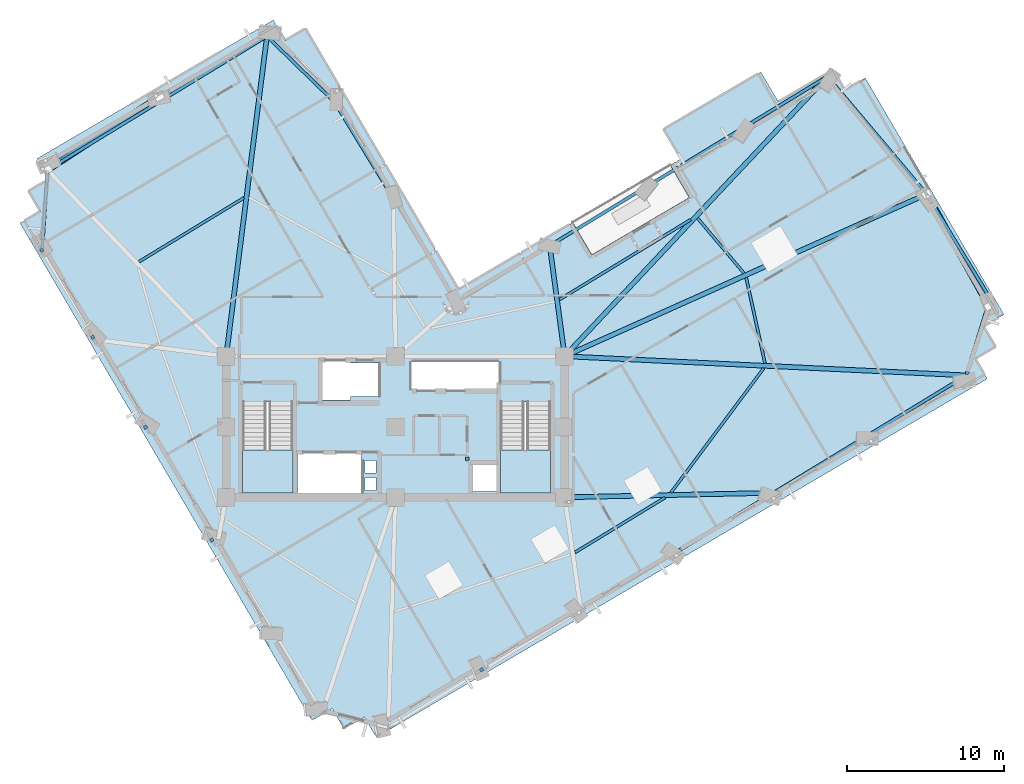
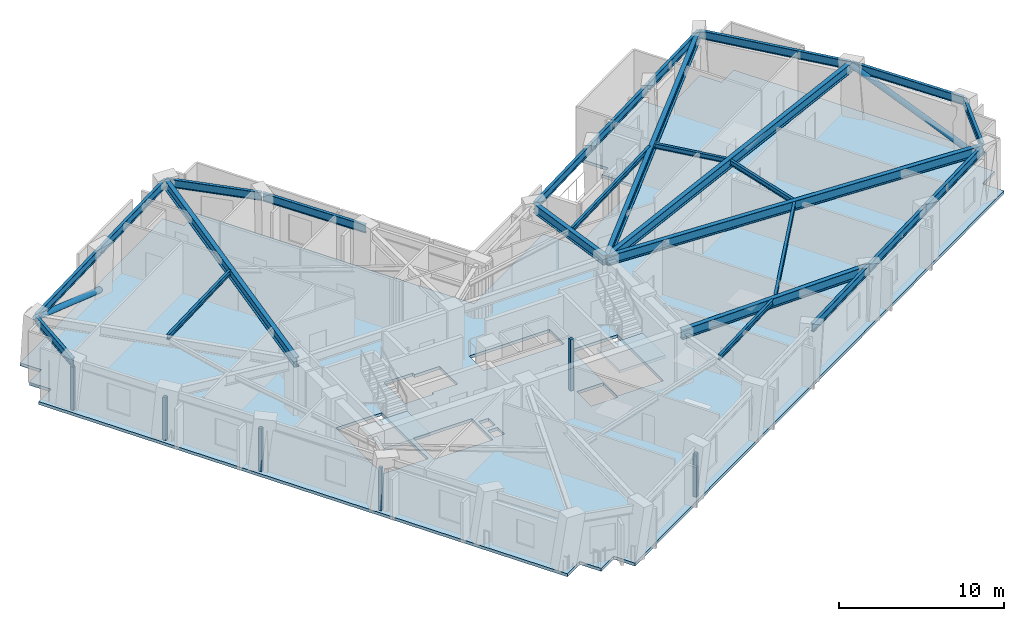
# One storey, part 2 of 12: 26 beams, 6 plates, 3 slabs, 2 members, 2 elements without a shape of their own.
"""IFC4 building model written with IfcOpenShell, lengths in metres."""

from ifc_helpers import new_model, si_unit, direction, frame, origin, origin_2d, place, context, subcontext, project, spatial, polyline, rectangle, hollow_circle, i_section, outline, extrude, material, layer, layer_set, material_profile, profile_set, type_object, element, aggregate, save


model = new_model("IFC4")

# Units and contexts
model_context = context("Model", 3, precision=1e-05, world=origin(), true_north=direction((0.0, 1.0)))
body_context = subcontext(model_context, "Body", "Model", "MODEL_VIEW")
ifc_project = project(units=[si_unit("LENGTHUNIT", "METRE"), si_unit("AREAUNIT", "SQUARE_METRE"), si_unit("VOLUMEUNIT", "CUBIC_METRE"), si_unit("PLANEANGLEUNIT", "RADIAN"), si_unit("MASSUNIT", "GRAM", prefix="KILO")], contexts=[model_context])

# Site, building, storey
site_placement = place(None, origin())
site = spatial("IfcSite", under=ifc_project, at=site_placement, CompositionType="ELEMENT")
building_placement = place(site_placement, origin())
building = spatial("IfcBuilding", under=site, at=building_placement, Name="Gaonmaruhae Medical Tower", CompositionType="ELEMENT")
storey_placement = place(building_placement, frame((0.0, 0.0, 153.800048828125)))
storey = spatial("IfcBuildingStorey", under=building, at=storey_placement, Name="L36", CompositionType="ELEMENT", Elevation=153.800048828125)

# Beams
ifc_material_1 = material(Name="Steel SM355", Category="steel")
ifc_material_profile_1 = material_profile(ifc_material_1, i_section(OverallWidth=0.175048828125, OverallDepth=0.35009765625, WebThickness=0.007080078125, FlangeThickness=0.010986328125, FilletRadius=0.012939453125, at=origin_2d()), Name="H-350x175x7x11")
ifc_profile_set_1 = profile_set([ifc_material_profile_1], Name="Steel SM355")
beam_type_1 = type_object("IfcBeamType", Name="FJ-02 Upper Zone Ward Floor Joist (H-350x175x7x11)", PredefinedType="JOIST", material=ifc_profile_set_1)
beam_1_placement = place(storey_placement, frame((36.262451171875, 4.285888671875, 3.60498046875), z_axis=(0.854001529604, 0.520270494488, 0.0), x_axis=(-0.520270494488, 0.854001529604, 0.0)))
element("IfcBeam", 1, at=beam_1_placement, inside=storey, type_object=beam_type_1, Name="L36 Secondary Floor Joist FJ02", PredefinedType="JOIST", context=body_context, shape_type="SweptSolid", body=[
    extrude(i_section(OverallWidth=0.175048828125, OverallDepth=0.35009765625, WebThickness=0.007080078125, FlangeThickness=0.010986328125, FilletRadius=0.012939453125, at=origin_2d()), origin(), (0.0, 0.0, 1.0), 6.725830078125),
])
beam_2_placement = place(storey_placement, frame((42.384033203125, 8.10107421875, 3.60498046875), z_axis=(0.597792731587, 0.801650703275, 0.0), x_axis=(-0.801650703275, 0.597792731587, 0.0)))
element("IfcBeam", 2, at=beam_2_placement, inside=storey, type_object=beam_type_1, Name="L36 Secondary Floor Joist FJ03", PredefinedType="JOIST", context=body_context, shape_type="SweptSolid", body=[
    extrude(i_section(OverallWidth=0.175048828125, OverallDepth=0.35009765625, WebThickness=0.007080078125, FlangeThickness=0.010986328125, FilletRadius=0.012939453125, at=origin_2d()), origin(), (0.0, 0.0, 1.0), 9.903076171875),
])
beam_3_placement = place(storey_placement, frame((48.381103515625, 16.347412109375, 3.60498046875), z_axis=(-0.214414394751, 0.976742784628, 0.0), x_axis=(-0.976742784628, -0.214414394751, 0.0)))
element("IfcBeam", 3, at=beam_3_placement, inside=storey, type_object=beam_type_1, Name="L36 Secondary Floor Joist FJ04", PredefinedType="JOIST", context=body_context, shape_type="SweptSolid", body=[
    extrude(i_section(OverallWidth=0.175048828125, OverallDepth=0.35009765625, WebThickness=0.007080078125, FlangeThickness=0.010986328125, FilletRadius=0.012939453125, at=origin_2d()), origin(), (0.0, 0.0, 1.0), 5.60107421875),
])
beam_4_placement = place(storey_placement, frame((47.041748046875, 22.097412109375, 3.60498046875), z_axis=(-0.64468444469, 0.764448799315, 0.0), x_axis=(-0.764448799315, -0.64468444469, 0.0)))
element("IfcBeam", 4, at=beam_4_placement, inside=storey, type_object=beam_type_1, Name="L36 Secondary Floor Joist FJ05", PredefinedType="JOIST", context=body_context, shape_type="SweptSolid", body=[
    extrude(i_section(OverallWidth=0.175048828125, OverallDepth=0.35009765625, WebThickness=0.007080078125, FlangeThickness=0.010986328125, FilletRadius=0.012939453125, at=origin_2d()), origin(), (0.0, 0.0, 1.0), 4.588623046875),
])
beam_5_placement = place(storey_placement, frame((43.64013671875, 25.516845703125, 3.60498046875), z_axis=(-0.85400423962, -0.520266046086, 0.0), x_axis=(0.520266046086, -0.85400423962, 0.0)))
element("IfcBeam", 5, at=beam_5_placement, inside=storey, type_object=beam_type_1, Name="L36 Secondary Floor Joist FJ06", PredefinedType="JOIST", context=body_context, shape_type="SweptSolid", body=[
    extrude(i_section(OverallWidth=0.175048828125, OverallDepth=0.35009765625, WebThickness=0.007080078125, FlangeThickness=0.010986328125, FilletRadius=0.012939453125, at=origin_2d()), origin(), (0.0, 0.0, 1.0), 9.8046875),
])
beam_6_placement = place(storey_placement, frame((15.134033203125, 26.908203125, 3.60498046875), z_axis=(-0.85399590805, -0.520279721913, 0.0), x_axis=(0.520279721913, -0.85399590805, 0.0)))
element("IfcBeam", 6, at=beam_6_placement, inside=storey, type_object=beam_type_1, Name="L36 Secondary Floor Joist FJ10", PredefinedType="JOIST", context=body_context, shape_type="SweptSolid", body=[
    extrude(i_section(OverallWidth=0.175048828125, OverallDepth=0.35009765625, WebThickness=0.007080078125, FlangeThickness=0.010986328125, FilletRadius=0.012939453125, at=origin_2d()), origin(), (0.0, 0.0, 1.0), 7.842529296875),
])

# Members
ifc_material_2 = material(Name="Steel SM420", Category="steel")
ifc_material_profile_2 = material_profile(ifc_material_2, hollow_circle(Radius=0.203125, WallThickness=0.0126953125, at=origin_2d()), Name="CHS-406.4x12.7")
ifc_profile_set_2 = profile_set([ifc_material_profile_2], Name="Steel SM420")
member_type = type_object("IfcMemberType", Name="PB-02 Perimeter Solid-Bay Tube Brace Mid (CHS-406.4x12.7)", PredefinedType="BRACE", material=ifc_profile_set_2)
member_1_placement = place(storey_placement, frame((62.674560546875, 20.003173828125, 0.25), z_axis=(-0.45191920941, 0.810695187945, 0.372212762287), x_axis=(-0.873455184039, -0.486904550682, 0.0)))
element("IfcMember", 7, at=member_1_placement, inside=storey, type_object=member_type, Name="L36 Perimeter Tube Solid-Bay Brace E01-E02", PredefinedType="BRACE", context=body_context, shape_type="SweptSolid", body=[
    extrude(hollow_circle(Radius=0.203125, WallThickness=0.0126953125, at=origin_2d()), origin(), (0.0, 0.0, 1.0), 8.812255859375),
])
member_2_placement = place(storey_placement, frame((9.74169921875, 33.352783203125, 0.25), z_axis=(-0.781516921867, -0.51027970636, 0.35895114168), x_axis=(0.546714773872, -0.837318909395, 0.0)))
element("IfcMember", 8, at=member_2_placement, inside=storey, type_object=member_type, Name="L36 Perimeter Tube Solid-Bay Brace N02-N03", PredefinedType="BRACE", context=body_context, shape_type="SweptSolid", body=[
    extrude(hollow_circle(Radius=0.203125, WallThickness=0.0126953125, at=origin_2d()), origin(), (0.0, 0.0, 1.0), 9.1376953125),
])

# Beams
ifc_material_profile_3 = material_profile(ifc_material_2, i_section(OverallWidth=0.300048828125, OverallDepth=0.699951171875, WebThickness=0.012939453125, FlangeThickness=0.02392578125, FilletRadius=0.01806640625, at=origin_2d()), Name="H-700x300x13x24")
ifc_profile_set_3 = profile_set([ifc_material_profile_3], Name="Steel SM420")
beam_type_2 = type_object("IfcBeamType", Name="PG-03 Zone 3 Radial Floor Girder (H-700x300x13x24)", PredefinedType="BEAM", material=ifc_profile_set_3)
beam_7_placement = place(storey_placement, frame((35.64990234375, 7.801025390625, 3.429931640625), z_axis=(0.999767528955, 0.021561262639, 0.0), x_axis=(-0.021561262639, 0.999767528955, 0.0)))
element("IfcBeam", 9, at=beam_7_placement, inside=storey, type_object=beam_type_2, Name="L36 Radial Primary Girder S05", PredefinedType="BEAM", context=body_context, shape_type="SweptSolid", body=[
    extrude(i_section(OverallWidth=0.300048828125, OverallDepth=0.699951171875, WebThickness=0.012939453125, FlangeThickness=0.02392578125, FilletRadius=0.01806640625, at=origin_2d()), origin(), (0.0, 0.0, 1.0), 13.23681640625),
])
beam_8_placement = place(storey_placement, frame((35.64990234375, 16.797607421875, 3.429931640625), z_axis=(0.998868051283, -0.047566964651, 0.0), x_axis=(0.047566964651, 0.998868051283, 0.0)))
element("IfcBeam", 10, at=beam_8_placement, inside=storey, type_object=beam_type_2, Name="L36 Radial Primary Girder S07", PredefinedType="BEAM", context=body_context, shape_type="SweptSolid", body=[
    extrude(i_section(OverallWidth=0.300048828125, OverallDepth=0.699951171875, WebThickness=0.012939453125, FlangeThickness=0.02392578125, FilletRadius=0.01806640625, at=origin_2d()), origin(), (0.0, 0.0, 1.0), 25.560302734375),
])
beam_9_placement = place(storey_placement, frame((35.6455078125, 16.820556640625, 3.429931640625), z_axis=(0.912577883941, 0.408902929485, 0.0), x_axis=(-0.408902929485, 0.912577883941, 0.0)))
element("IfcBeam", 11, at=beam_9_placement, inside=storey, type_object=beam_type_2, Name="L36 Radial Primary Girder E02", PredefinedType="BEAM", context=body_context, shape_type="SweptSolid", body=[
    extrude(i_section(OverallWidth=0.300048828125, OverallDepth=0.699951171875, WebThickness=0.012939453125, FlangeThickness=0.02392578125, FilletRadius=0.01806640625, at=origin_2d()), origin(), (0.0, 0.0, 1.0), 25.204345703125),
])
beam_10_placement = place(storey_placement, frame((35.63427734375, 16.83642578125, 3.429931640625), z_axis=(0.684580864992, 0.728936924079, 0.0), x_axis=(-0.728936924079, 0.684580864992, 0.0)))
element("IfcBeam", 12, at=beam_10_placement, inside=storey, type_object=beam_type_2, Name="L36 Radial Primary Girder E03", PredefinedType="BEAM", context=body_context, shape_type="SweptSolid", body=[
    extrude(i_section(OverallWidth=0.300048828125, OverallDepth=0.699951171875, WebThickness=0.012939453125, FlangeThickness=0.02392578125, FilletRadius=0.01806640625, at=origin_2d()), origin(), (0.0, 0.0, 1.0), 24.388671875),
])
beam_11_placement = place(storey_placement, frame((35.59326171875, 16.849609375, 3.429931640625), z_axis=(-0.134284370933, 0.990942837768, 0.0), x_axis=(-0.990942837768, -0.134284370933, 0.0)))
element("IfcBeam", 13, at=beam_11_placement, inside=storey, type_object=beam_type_2, Name="L36 Radial Primary Girder EN03", PredefinedType="BEAM", context=body_context, shape_type="SweptSolid", body=[
    extrude(i_section(OverallWidth=0.300048828125, OverallDepth=0.699951171875, WebThickness=0.012939453125, FlangeThickness=0.02392578125, FilletRadius=0.01806640625, at=origin_2d()), origin(), (0.0, 0.0, 1.0), 7.01953125),
])
beam_12_placement = place(storey_placement, frame((14.00634765625, 16.849609375, 3.429931640625), z_axis=(0.126587729668, 0.99195541568, 0.0), x_axis=(-0.99195541568, 0.126587729668, 0.0)))
element("IfcBeam", 14, at=beam_12_placement, inside=storey, type_object=beam_type_2, Name="L36 Radial Primary Girder N01", PredefinedType="BEAM", context=body_context, shape_type="SweptSolid", body=[
    extrude(i_section(OverallWidth=0.300048828125, OverallDepth=0.699951171875, WebThickness=0.012939453125, FlangeThickness=0.02392578125, FilletRadius=0.01806640625, at=origin_2d()), origin(), (0.0, 0.0, 1.0), 20.48779296875),
])
ifc_material_profile_4 = material_profile(ifc_material_1, i_section(OverallWidth=0.199951171875, OverallDepth=0.60009765625, WebThickness=0.010986328125, FlangeThickness=0.01708984375, FilletRadius=0.012939453125, at=origin_2d()), Name="H-600x200x11x17")
ifc_profile_set_4 = profile_set([ifc_material_profile_4], Name="Steel SM355")
beam_type_3 = type_object("IfcBeamType", Name="SP-01 Lower Perimeter Spandrel Beam (H-600x200x11x17)", PredefinedType="SPANDREL", material=ifc_profile_set_4)
for number, where, z_axis, x_axis, name in (
    (15, (42.81884765625, 4.362548828125, 3.47998046875), (0.854018400859, 0.520242800041, 0.0), (-0.520242800041, 0.854018400859, 0.0), "L36 Perimeter Spandrel Beam S04-S05"),
    (16, (48.9677734375, 8.1083984375, 3.47998046875), (0.853993884251, 0.520283043796, 0.0), (-0.520283043796, 0.853993884251, 0.0), "L36 Perimeter Spandrel Beam S05-S06"),
):
    element("IfcBeam", number, at=place(storey_placement, frame(where, z_axis=z_axis, x_axis=x_axis)), inside=storey, type_object=beam_type_3, Name=name, PredefinedType="SPANDREL", context=body_context, shape_type="SweptSolid", body=[
        extrude(i_section(OverallWidth=0.199951171875, OverallDepth=0.60009765625, WebThickness=0.010986328125, FlangeThickness=0.01708984375, FilletRadius=0.012939453125, at=origin_2d()), origin(), (0.0, 0.0, 1.0), 7.119873046875),
    ])
beam_13_placement = place(storey_placement, frame((55.116455078125, 11.854248046875, 3.47998046875), z_axis=(0.854003165972, 0.520267808451, 0.0), x_axis=(-0.520267808451, 0.854003165972, 0.0)))
element("IfcBeam", 17, at=beam_13_placement, inside=storey, type_object=beam_type_3, Name="L36 Perimeter Spandrel Beam S06-S07", PredefinedType="SPANDREL", context=body_context, shape_type="SweptSolid", body=[
    extrude(i_section(OverallWidth=0.199951171875, OverallDepth=0.60009765625, WebThickness=0.010986328125, FlangeThickness=0.01708984375, FilletRadius=0.012939453125, at=origin_2d()), origin(), (0.0, 0.0, 1.0), 7.1201171875),
])
beam_14_placement = place(storey_placement, frame((61.242919921875, 15.61767578125, 3.47998046875), z_axis=(0.295744576847, 0.955267054423, 0.0), x_axis=(-0.955267054423, 0.295744576847, 0.0)))
element("IfcBeam", 18, at=beam_14_placement, inside=storey, type_object=beam_type_3, Name="L36 Perimeter Spandrel Beam S07-E01", PredefinedType="SPANDREL", context=body_context, shape_type="SweptSolid", body=[
    extrude(i_section(OverallWidth=0.199951171875, OverallDepth=0.60009765625, WebThickness=0.010986328125, FlangeThickness=0.01708984375, FilletRadius=0.012939453125, at=origin_2d()), origin(), (0.0, 0.0, 1.0), 5.05615234375),
])
beam_15_placement = place(storey_placement, frame((62.7294921875, 20.520263671875, 3.47998046875), z_axis=(-0.52028801498, 0.853990855612, 0.0), x_axis=(-0.853990855612, -0.52028801498, 0.0)))
element("IfcBeam", 19, at=beam_15_placement, inside=storey, type_object=beam_type_3, Name="L36 Perimeter Spandrel Beam E01-E02", PredefinedType="SPANDREL", context=body_context, shape_type="SweptSolid", body=[
    extrude(i_section(OverallWidth=0.199951171875, OverallDepth=0.60009765625, WebThickness=0.010986328125, FlangeThickness=0.01708984375, FilletRadius=0.012939453125, at=origin_2d()), origin(), (0.0, 0.0, 1.0), 7.719970703125),
])
beam_16_placement = place(storey_placement, frame((58.666259765625, 27.177734375, 3.47998046875), z_axis=(-0.644653008337, 0.764475309505, 0.0), x_axis=(-0.764475309505, -0.644653008337, 0.0)))
element("IfcBeam", 20, at=beam_16_placement, inside=storey, type_object=beam_type_3, Name="L36 Perimeter Spandrel Beam E02-E03", PredefinedType="SPANDREL", context=body_context, shape_type="SweptSolid", body=[
    extrude(i_section(OverallWidth=0.199951171875, OverallDepth=0.60009765625, WebThickness=0.010986328125, FlangeThickness=0.01708984375, FilletRadius=0.012939453125, at=origin_2d()), origin(), (0.0, 0.0, 1.0), 9.7353515625),
])
beam_17_placement = place(storey_placement, frame((52.330322265625, 34.6298828125, 3.47998046875), z_axis=(-0.854006757287, -0.520261913374, 0.0), x_axis=(0.520261913374, -0.854006757287, 0.0)))
element("IfcBeam", 21, at=beam_17_placement, inside=storey, type_object=beam_type_3, Name="L36 Perimeter Spandrel Beam E03-EN01", PredefinedType="SPANDREL", context=body_context, shape_type="SweptSolid", body=[
    extrude(i_section(OverallWidth=0.199951171875, OverallDepth=0.60009765625, WebThickness=0.010986328125, FlangeThickness=0.01708984375, FilletRadius=0.012939453125, at=origin_2d()), origin(), (0.0, 0.0, 1.0), 6.269775390625),
])
beam_18_placement = place(storey_placement, frame((46.907470703125, 31.326171875, 3.4599609375), z_axis=(-0.854003165972, -0.520267808451, 0.0), x_axis=(0.520267808451, -0.854003165972, 0.0)))
element("IfcBeam", 22, at=beam_18_placement, inside=storey, type_object=beam_type_3, Name="L36 Perimeter Spandrel Beam EN01-EN02", PredefinedType="SPANDREL", context=body_context, shape_type="SweptSolid", body=[
    extrude(i_section(OverallWidth=0.199951171875, OverallDepth=0.60009765625, WebThickness=0.010986328125, FlangeThickness=0.01708984375, FilletRadius=0.012939453125, at=origin_2d()), origin(), (0.0, 0.0, 1.0), 7.1201171875),
])
beam_19_placement = place(storey_placement, frame((40.758544921875, 27.580322265625, 3.4599609375), z_axis=(-0.853993884251, -0.520283043796, 0.0), x_axis=(0.520283043796, -0.853993884251, 0.0)))
element("IfcBeam", 23, at=beam_19_placement, inside=storey, type_object=beam_type_3, Name="L36 Perimeter Spandrel Beam EN02-EN03", PredefinedType="SPANDREL", context=body_context, shape_type="SweptSolid", body=[
    extrude(i_section(OverallWidth=0.199951171875, OverallDepth=0.60009765625, WebThickness=0.010986328125, FlangeThickness=0.01708984375, FilletRadius=0.012939453125, at=origin_2d()), origin(), (0.0, 0.0, 1.0), 7.119873046875),
])
beam_20_placement = place(storey_placement, frame((24.65576171875, 26.89208984375, 3.47998046875), z_axis=(-0.520267808451, 0.854003165972, 0.0), x_axis=(-0.854003165972, -0.520267808451, 0.0)))
element("IfcBeam", 24, at=beam_20_placement, inside=storey, type_object=beam_type_3, Name="L36 Perimeter Spandrel Beam NE01-NE02", PredefinedType="SPANDREL", context=body_context, shape_type="SweptSolid", body=[
    extrude(i_section(OverallWidth=0.199951171875, OverallDepth=0.60009765625, WebThickness=0.010986328125, FlangeThickness=0.01708984375, FilletRadius=0.012939453125, at=origin_2d()), origin(), (0.0, 0.0, 1.0), 7.1201171875),
])
beam_21_placement = place(storey_placement, frame((20.902099609375, 33.03466796875, 3.47998046875), z_axis=(-0.716082556644, 0.698015595864, 0.0), x_axis=(-0.698015595864, -0.716082556644, 0.0)))
element("IfcBeam", 25, at=beam_21_placement, inside=storey, type_object=beam_type_3, Name="L36 Perimeter Spandrel Beam NE02-N01", PredefinedType="SPANDREL", context=body_context, shape_type="SweptSolid", body=[
    extrude(i_section(OverallWidth=0.199951171875, OverallDepth=0.60009765625, WebThickness=0.010986328125, FlangeThickness=0.01708984375, FilletRadius=0.012939453125, at=origin_2d()), origin(), (0.0, 0.0, 1.0), 5.959228515625),
])
for number, where, z_axis, x_axis, name in (
    (26, (16.572021484375, 37.201416015625, 3.47998046875), (-0.854003416991, -0.52026739641, 0.0), (0.52026739641, -0.854003416991, 0.0), "L36 Perimeter Spandrel Beam N01-N02"),
    (27, (9.569091796875, 32.935302734375, 3.47998046875), (-0.854003416991, -0.52026739641, 0.0), (0.52026739641, -0.854003416991, 0.0), "L36 Perimeter Spandrel Beam N02-N03"),
):
    element("IfcBeam", number, at=place(storey_placement, frame(where, z_axis=z_axis, x_axis=x_axis)), inside=storey, type_object=beam_type_3, Name=name, PredefinedType="SPANDREL", context=body_context, shape_type="SweptSolid", body=[
        extrude(i_section(OverallWidth=0.199951171875, OverallDepth=0.60009765625, WebThickness=0.010986328125, FlangeThickness=0.01708984375, FilletRadius=0.012939453125, at=origin_2d()), origin(), (0.0, 0.0, 1.0), 8.1201171875),
    ])
beam_22_placement = place(storey_placement, frame((2.59765625, 28.64990234375, 3.47998046875), z_axis=(-0.067445917647, -0.997722931576, 0.0), x_axis=(0.997722931576, -0.067445917647, 0.0)))
element("IfcBeam", 28, at=beam_22_placement, inside=storey, type_object=beam_type_3, Name="L36 Perimeter Spandrel Beam N03-W01", PredefinedType="SPANDREL", context=body_context, shape_type="SweptSolid", body=[
    extrude(i_section(OverallWidth=0.199951171875, OverallDepth=0.60009765625, WebThickness=0.010986328125, FlangeThickness=0.01708984375, FilletRadius=0.012939453125, at=origin_2d()), origin(), (0.0, 0.0, 1.0), 5.1220703125),
])

# Slab
ifc_material_3 = material(Name="Concrete C40/50", Category="concrete")
ifc_layer_1 = layer(ifc_material_3, 0.219970703125)
ifc_layer_set_1 = layer_set([ifc_layer_1], Name="Concrete C40/50")
slab_type_1 = type_object("IfcSlabType", Name="FS-220 Clinical Ward Composite Floor Slab", PredefinedType="FLOOR", material=ifc_layer_set_1)
slab_1_placement = place(storey_placement, frame((0.0, 0.0, -0.219970703125)))
element("IfcSlab", 29, at=slab_1_placement, inside=storey, type_object=slab_type_1, Name="L36 Structural Slab 1", PredefinedType="FLOOR", context=body_context, shape_type="SweptSolid", body=[
    extrude(outline(polyline([(53.48046875, 33.797119140625), (54.774169921875, 34.55615234375), (63.6298828125, 19.462158203125), (62.3359375, 18.703125), (63.09521484375, 17.409423828125), (61.80126953125, 16.650390625), (62.560302734375, 15.356689453125), (23.57470703125, -7.51611328125), (22.815673828125, -6.222412109375), (21.52197265625, -6.9814453125), (20.762939453125, -5.687744140625), (19.468994140625, -6.44677734375), (0.846923828125, 25.293701171875), (2.140869140625, 26.052734375), (1.3818359375, 27.3466796875), (2.675537109375, 28.105712890625), (1.91650390625, 29.3994140625), (17.010498046875, 38.2548828125), (17.76953125, 36.961181640625), (19.063232421875, 37.72021484375), (28.82958984375, 21.07373046875), (36.117919921875, 25.349853515625), (37.33251953125, 23.27978515625), (43.54248046875, 26.923095703125), (42.328125, 28.9931640625), (43.01806640625, 29.39794921875), (41.90478515625, 31.295654296875), (48.114990234375, 34.93896484375), (49.228271484375, 33.04150390625), (52.721435546875, 35.0908203125), (53.48046875, 33.797119140625)]), holes=[polyline([(23.550048828125, 8.25), (22.85009765625, 8.25), (22.85009765625, 9.050048828125), (23.550048828125, 9.050048828125), (23.550048828125, 8.25)]), polyline([(31.425048828125, 9.925048828125), (31.425048828125, 8.175048828125), (29.574951171875, 8.175048828125), (29.574951171875, 9.925048828125), (31.425048828125, 9.925048828125)]), polyline([(22.64990234375, 10.625), (22.64990234375, 8.074951171875), (18.550048828125, 8.074951171875), (18.550048828125, 10.625), (22.64990234375, 10.625)]), polyline([(23.550048828125, 9.35009765625), (22.85009765625, 9.35009765625), (22.85009765625, 10.14990234375), (23.550048828125, 10.14990234375), (23.550048828125, 9.35009765625)]), polyline([(15.050048828125, 13.889892578125), (18.25, 13.889892578125), (18.25, 8.300048828125), (15.050048828125, 8.300048828125), (15.050048828125, 13.889892578125)]), polyline([(31.5, 13.889892578125), (34.699951171875, 13.889892578125), (34.699951171875, 8.300048828125), (31.5, 8.300048828125), (31.5, 13.889892578125)]), polyline([(21.949951171875, 14.22509765625), (21.949951171875, 14.02490234375), (19.949951171875, 14.02490234375), (19.949951171875, 16.574951171875), (21.949951171875, 16.574951171875), (21.949951171875, 16.375), (23.72509765625, 16.375), (23.72509765625, 14.22509765625), (21.949951171875, 14.22509765625)]), polyline([(31.425048828125, 16.425048828125), (31.425048828125, 14.675048828125), (25.824951171875, 14.675048828125), (25.824951171875, 16.425048828125), (31.425048828125, 16.425048828125)])]), origin(), (0.0, 0.0, 1.0), 0.219970703125),
])

# Plates
ifc_material_4 = material(Name="Anodised aluminium 6063-T6", Category="aluminium")
ifc_layer_2 = layer(ifc_material_4, 0.011962890625)
ifc_layer_set_2 = layer_set([ifc_layer_2], Name="Anodised aluminium 6063-T6")
plate_type = type_object("IfcPlateType", Name="PP-01 Interior Partition Corner Stiffener Plate", PredefinedType="SHEET", material=ifc_layer_set_2)
plate_placement = place(storey_placement, frame((29.3798828125, 10.260009765625, 0.0), z_axis=(0.0, 0.0, 1.0), x_axis=(0.0, -1.0, 0.0)))
element("IfcPlate", 30, at=plate_placement, inside=storey, type_object=plate_type, Name="L36 Partition Corner Stiffener Plate PLT-L36-JGP-PW002", PredefinedType="SHEET", context=body_context, shape_type="SweptSolid", body=[
    extrude(rectangle(XDim=0.219970703125, YDim=0.219970703125, at=origin_2d()), origin(), (0.0, 0.0, 1.0), 3.780029296875),
])
for number, where, z_axis, x_axis, name in (
    (31, (30.300537109375, -3.199462890625, 0.0), (0.0, 0.0, 1.0), (-0.862822626698, -0.505506790121, 0.0), "L36 Partition Corner Stiffener Plate PLT-L36-JGP-PW008"),
    (32, (13.07958984375, 5.076904296875, 0.0), (0.0, 0.0, 1.0), (-0.506259552328, 0.862381160321, 0.0), "L36 Partition Corner Stiffener Plate PLT-L36-JGP-PW035"),
    (33, (8.85400390625, 12.278564453125, 0.0), (0.0, 0.0, 1.0), (-0.506319756656, 0.862345814635, 0.0), "L36 Partition Corner Stiffener Plate PLT-L36-JGP-PW041"),
    (34, (5.489013671875, 18.013427734375, 0.0), (0.0, 0.0, 1.0), (-0.506846439237, 0.862036360621, 0.0), "L36 Partition Corner Stiffener Plate PLT-L36-JGP-PW047"),
    (35, (2.232421875, 23.5654296875, 0.0), (0.0, 0.0, 1.0), (-0.506124083567, 0.862460672746, 0.0), "L36 Partition Corner Stiffener Plate PLT-L36-JGP-PW048"),
):
    element("IfcPlate", number, at=place(storey_placement, frame(where, z_axis=z_axis, x_axis=x_axis)), inside=storey, type_object=plate_type, Name=name, PredefinedType="SHEET", context=body_context, shape_type="SweptSolid", body=[
        extrude(rectangle(XDim=0.219970703125, YDim=0.219970703125, at=origin_2d()), origin(), (0.0, 0.0, 1.0), 3.1650390625),
    ])

# Stair, slab
stair_type = type_object("IfcStairType", Name="ST-T1 Primary Core Escape Dogleg Stair", PredefinedType="TWO_QUARTER_TURN_STAIR", material=ifc_material_3)
stair_1_placement = place(storey_placement, origin())
stair_1 = element("IfcStair", 36, at=stair_1_placement, inside=storey, type_object=stair_type, Name="L36 Protected Escape Stair ST-01", PredefinedType="TWO_QUARTER_TURN_STAIR")
ifc_layer_3 = layer(ifc_material_3, 0.199951171875)
ifc_layer_set_3 = layer_set([ifc_layer_3], Name="Concrete C40/50")
slab_type_2 = type_object("IfcSlabType", Name="SL-200 Stair & Ramp Intermediate Concrete Landing", PredefinedType="LANDING", material=ifc_layer_set_3)
slab_2_placement = place(storey_placement, frame((0.0, 0.0, 1.800048828125)))
slab_2 = element("IfcSlab", 37, at=slab_2_placement, type_object=slab_type_2, Name="ST-01 landing 1", PredefinedType="LANDING", context=body_context, shape_type="SweptSolid", body=[
    extrude(outline(polyline([(15.050048828125, 10.820068359375), (15.050048828125, 8.0791015625), (18.25, 8.0791015625), (18.25, 10.820068359375), (15.050048828125, 10.820068359375)])), origin(), (0.0, 0.0, 1.0), 0.199951171875),
])
aggregate(stair_1, [slab_2])

stair_2_placement = place(storey_placement, origin())
stair_2 = element("IfcStair", 38, at=stair_2_placement, inside=storey, type_object=stair_type, Name="L36 Protected Escape Stair ST-02", PredefinedType="TWO_QUARTER_TURN_STAIR")
slab_3_placement = place(storey_placement, frame((0.0, 0.0, 1.800048828125)))
slab_3 = element("IfcSlab", 39, at=slab_3_placement, type_object=slab_type_2, Name="ST-02 landing 1", PredefinedType="LANDING", context=body_context, shape_type="SweptSolid", body=[
    extrude(outline(polyline([(31.5, 10.820068359375), (31.5, 8.0791015625), (34.699951171875, 8.0791015625), (34.699951171875, 10.820068359375), (31.5, 10.820068359375)])), origin(), (0.0, 0.0, 1.0), 0.199951171875),
])
aggregate(stair_2, [slab_3])

save(model, "model.ifc")
